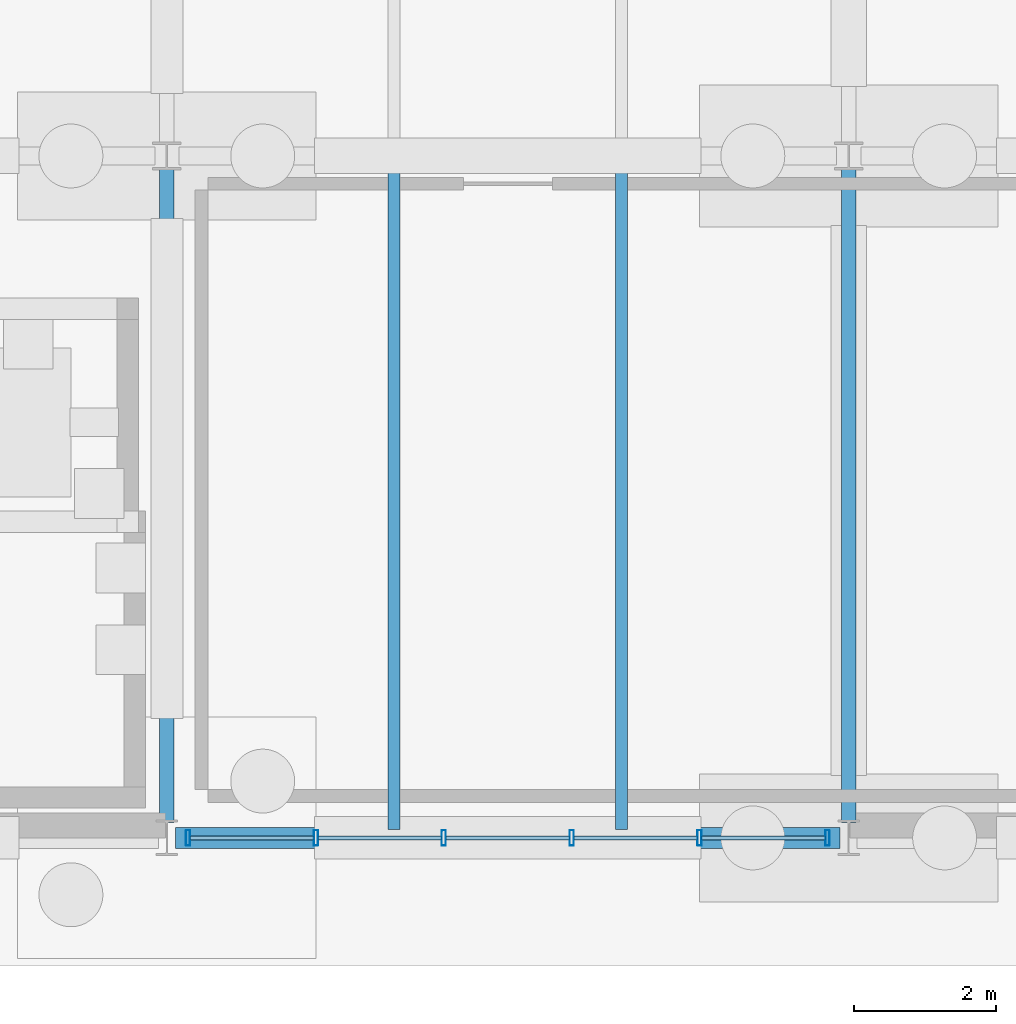
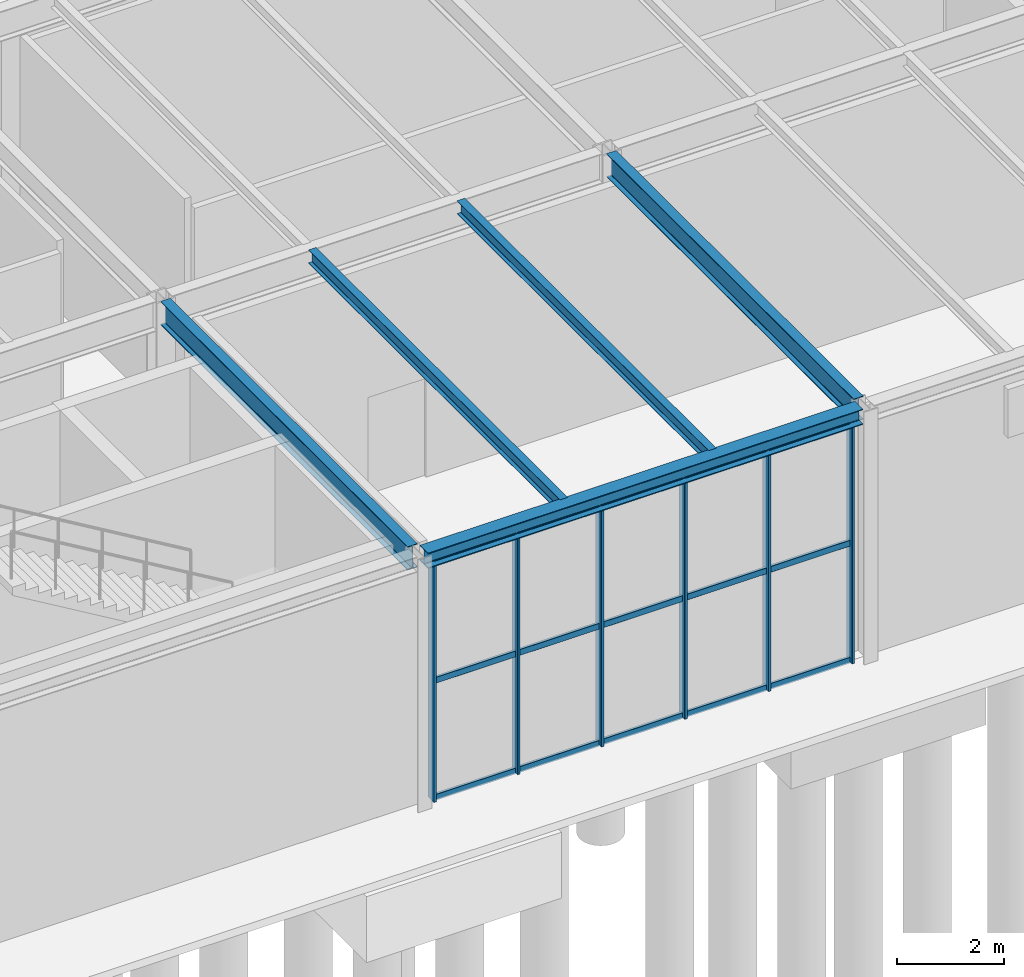
# One storey, part 84 of 142: 21 members, 5 beams, 1 element without a shape of its own.
"""IFC4 building model written with IfcOpenShell, lengths in metres."""

from ifc_helpers import new_model, si_unit, direction, frame, origin, origin_2d, place, context, subcontext, project, spatial, hollow_rectangle, i_section, extrude, material, material_profile, profile_set, type_object, element, aggregate, save


model = new_model("IFC4")

# Units and contexts
model_context = context("Model", 3, precision=1e-05, world=origin(), true_north=direction((0.0, 1.0)))
body_context = subcontext(model_context, "Body", "Model", "MODEL_VIEW")
ifc_project = project(units=[si_unit("LENGTHUNIT", "METRE"), si_unit("AREAUNIT", "SQUARE_METRE"), si_unit("VOLUMEUNIT", "CUBIC_METRE"), si_unit("PLANEANGLEUNIT", "RADIAN"), si_unit("MASSUNIT", "GRAM", prefix="KILO")], contexts=[model_context])

# Site, building, storey
site_placement = place(None, origin())
site = spatial("IfcSite", under=ifc_project, at=site_placement, CompositionType="ELEMENT")
building_placement = place(site_placement, origin())
building = spatial("IfcBuilding", under=site, at=building_placement, Name="Coralgate Yard Interchange", CompositionType="ELEMENT")
storey_placement = place(building_placement, origin())
storey = spatial("IfcBuildingStorey", under=building, at=storey_placement, Name="L00", CompositionType="ELEMENT", Elevation=0.0)

# Beams
ifc_material_1 = material(Name="Structural steel S355J2", Category="steel")
ifc_material_profile_1 = material_profile(ifc_material_1, i_section(OverallWidth=0.209228515625, OverallDepth=0.533203125, WebThickness=0.010009765625, FlangeThickness=0.015625, FilletRadius=0.0126953125, at=origin_2d()), Name="UB 533x210x92")
ifc_profile_set_1 = profile_set([ifc_material_profile_1], Name="Structural steel S355J2")
beam_type_1 = type_object("IfcBeamType", Name="BM-SB-1", PredefinedType="BEAM", material=ifc_profile_set_1)
for number, where, z_axis, x_axis, name in (
    (1, (163.199951171875, 0.219970703125, 5.4833984375), (0.0, 1.0, 0.0), (-1.0, 0.0, 0.0), "L00 primary grid girder X17 Y0-1"),
    (2, (172.800048828125, 0.219970703125, 5.4833984375), (0.0, 1.0, 0.0), (-1.0, 0.0, 0.0), "L00 primary grid girder X18 Y0-1"),
):
    element("IfcBeam", number, at=place(storey_placement, frame(where, z_axis=z_axis, x_axis=x_axis)), inside=storey, type_object=beam_type_1, Name=name, PredefinedType="BEAM", context=body_context, shape_type="SweptSolid", body=[
        extrude(i_section(OverallWidth=0.209228515625, OverallDepth=0.533203125, WebThickness=0.010009765625, FlangeThickness=0.015625, FilletRadius=0.0126953125, at=origin_2d()), origin(), (0.0, 0.0, 1.0), 9.213134765625),
    ])
ifc_material_profile_2 = material_profile(ifc_material_1, i_section(OverallWidth=0.1650390625, OverallDepth=0.303466796875, WebThickness=0.006103515625, FlangeThickness=0.01025390625, FilletRadius=0.0087890625, at=origin_2d()), Name="UB 305x165x40")
ifc_profile_set_2 = profile_set([ifc_material_profile_2], Name="Structural steel S355J2")
beam_type_2 = type_object("IfcBeamType", Name="BM-SJ-1", PredefinedType="JOIST", material=ifc_profile_set_2)
for number, where, z_axis, x_axis, name in (
    (3, (166.39990234375, 0.1201171875, 5.598388671875), (0.0, 1.0, 0.0), (-1.0, 0.0, 0.0), "L00 composite floor joist 17-0-1"),
    (4, (169.60009765625, 0.1201171875, 5.598388671875), (0.0, 1.0, 0.0), (-1.0, 0.0, 0.0), "L00 composite floor joist 17-0-2"),
):
    element("IfcBeam", number, at=place(storey_placement, frame(where, z_axis=z_axis, x_axis=x_axis)), inside=storey, type_object=beam_type_2, Name=name, PredefinedType="JOIST", context=body_context, shape_type="SweptSolid", body=[
        extrude(i_section(OverallWidth=0.1650390625, OverallDepth=0.303466796875, WebThickness=0.006103515625, FlangeThickness=0.01025390625, FilletRadius=0.0087890625, at=origin_2d()), origin(), (0.0, 0.0, 1.0), 9.383056640625),
    ])
ifc_material_profile_3 = material_profile(ifc_material_1, i_section(OverallWidth=0.300048828125, OverallDepth=0.35009765625, WebThickness=0.010009765625, FlangeThickness=0.017578125, FilletRadius=0.027099609375, at=origin_2d()), Name="HEA 360")
ifc_profile_set_3 = profile_set([ifc_material_profile_3], Name="Structural steel S355J2")
beam_type_3 = type_object("IfcBeamType", Name="BM-SP-1", PredefinedType="SPANDREL", material=ifc_profile_set_3)
beam_placement = place(storey_placement, frame((163.320068359375, 0.0, 5.574951171875), z_axis=(1.0, 0.0, 0.0), x_axis=(0.0, 1.0, 0.0)))
element("IfcBeam", 5, at=beam_placement, inside=storey, type_object=beam_type_3, Name="L00 primary grid beam Y0 X17-18", PredefinedType="SPANDREL", context=body_context, shape_type="SweptSolid", body=[
    extrude(i_section(OverallWidth=0.300048828125, OverallDepth=0.35009765625, WebThickness=0.010009765625, FlangeThickness=0.017578125, FilletRadius=0.027099609375, at=origin_2d()), origin(), (0.0, 0.0, 1.0), 9.35986328125),
])

# Curtain wall, members
ifc_material_2 = material(Name="Anodised coastal aluminium and solar-control low-E glass", Category="aluminium")
curtain_wall_type = type_object("IfcCurtainWallType", Name="CW-CW-L00-B", PredefinedType="NOTDEFINED", material=ifc_material_2)
curtain_wall_placement = place(storey_placement, origin())
curtain_wall = element("IfcCurtainWall", 6, at=curtain_wall_placement, inside=storey, type_object=curtain_wall_type, Name="L00 unitised curtain wall CW-L00-S-17-00", PredefinedType="NOTDEFINED")
ifc_material_3 = material(Name="Anodised coastal aluminium 6063-T6", Category="aluminium")
ifc_material_profile_4 = material_profile(ifc_material_3, hollow_rectangle(XDim=0.06005859375, YDim=0.219970703125, WallThickness=0.00390625, InnerFilletRadius=0.00390625, OuterFilletRadius=0.008056640625, at=origin_2d()), Name="ALU 60x220x4")
ifc_profile_set_4 = profile_set([ifc_material_profile_4], Name="Anodised coastal aluminium 6063-T6")
member_type_1 = type_object("IfcMemberType", Name="MB-MUL-220", PredefinedType="MULLION", material=ifc_profile_set_4)
member_1_placement = place(storey_placement, frame((172.5, 0.0, 0.0), z_axis=(0.0, 0.0, 1.0), x_axis=(1.0, 0.0, 0.0)))
member_1 = element("IfcMember", 7, at=member_1_placement, type_object=member_type_1, Name="CW-L00-S-17-00 vertical mullion 1", PredefinedType="MULLION", context=body_context, shape_type="SweptSolid", body=[
    extrude(hollow_rectangle(XDim=0.06005859375, YDim=0.219970703125, WallThickness=0.00390625, InnerFilletRadius=0.00390625, OuterFilletRadius=0.008056640625, at=origin_2d()), origin(), (0.0, 0.0, 1.0), 5.39990234375),
])
member_2_placement = place(storey_placement, frame((170.699951171875, 0.0, 0.0), z_axis=(0.0, 0.0, 1.0), x_axis=(1.0, 0.0, 0.0)))
member_2 = element("IfcMember", 8, at=member_2_placement, type_object=member_type_1, Name="CW-L00-S-17-00 vertical mullion 2", PredefinedType="MULLION", context=body_context, shape_type="SweptSolid", body=[
    extrude(hollow_rectangle(XDim=0.06005859375, YDim=0.219970703125, WallThickness=0.00390625, InnerFilletRadius=0.00390625, OuterFilletRadius=0.008056640625, at=origin_2d()), origin(), (0.0, 0.0, 1.0), 5.39990234375),
])
member_3_placement = place(storey_placement, frame((168.89990234375, 0.0, 0.0), z_axis=(0.0, 0.0, 1.0), x_axis=(1.0, 0.0, 0.0)))
member_3 = element("IfcMember", 9, at=member_3_placement, type_object=member_type_1, Name="CW-L00-S-17-00 vertical mullion 3", PredefinedType="MULLION", context=body_context, shape_type="SweptSolid", body=[
    extrude(hollow_rectangle(XDim=0.06005859375, YDim=0.219970703125, WallThickness=0.00390625, InnerFilletRadius=0.00390625, OuterFilletRadius=0.008056640625, at=origin_2d()), origin(), (0.0, 0.0, 1.0), 5.39990234375),
])
member_4_placement = place(storey_placement, frame((167.10009765625, 0.0, 0.0), z_axis=(0.0, 0.0, 1.0), x_axis=(1.0, 0.0, 0.0)))
member_4 = element("IfcMember", 10, at=member_4_placement, type_object=member_type_1, Name="CW-L00-S-17-00 vertical mullion 4", PredefinedType="MULLION", context=body_context, shape_type="SweptSolid", body=[
    extrude(hollow_rectangle(XDim=0.06005859375, YDim=0.219970703125, WallThickness=0.00390625, InnerFilletRadius=0.00390625, OuterFilletRadius=0.008056640625, at=origin_2d()), origin(), (0.0, 0.0, 1.0), 5.39990234375),
])
member_5_placement = place(storey_placement, frame((165.300048828125, 0.0, 0.0), z_axis=(0.0, 0.0, 1.0), x_axis=(1.0, 0.0, 0.0)))
member_5 = element("IfcMember", 11, at=member_5_placement, type_object=member_type_1, Name="CW-L00-S-17-00 vertical mullion 5", PredefinedType="MULLION", context=body_context, shape_type="SweptSolid", body=[
    extrude(hollow_rectangle(XDim=0.06005859375, YDim=0.219970703125, WallThickness=0.00390625, InnerFilletRadius=0.00390625, OuterFilletRadius=0.008056640625, at=origin_2d()), origin(), (0.0, 0.0, 1.0), 5.39990234375),
])
member_6_placement = place(storey_placement, frame((163.5, 0.0, 0.0), z_axis=(0.0, 0.0, 1.0), x_axis=(1.0, 0.0, 0.0)))
member_6 = element("IfcMember", 12, at=member_6_placement, type_object=member_type_1, Name="CW-L00-S-17-00 vertical mullion 6", PredefinedType="MULLION", context=body_context, shape_type="SweptSolid", body=[
    extrude(hollow_rectangle(XDim=0.06005859375, YDim=0.219970703125, WallThickness=0.00390625, InnerFilletRadius=0.00390625, OuterFilletRadius=0.008056640625, at=origin_2d()), origin(), (0.0, 0.0, 1.0), 5.39990234375),
])
ifc_material_profile_5 = material_profile(ifc_material_3, hollow_rectangle(XDim=0.06005859375, YDim=0.139892578125, WallThickness=0.00341796875, InnerFilletRadius=0.00341796875, OuterFilletRadius=0.007080078125, at=origin_2d()), Name="ALU 60x140x3.5")
ifc_profile_set_5 = profile_set([ifc_material_profile_5], Name="Anodised coastal aluminium 6063-T6")
member_type_2 = type_object("IfcMemberType", Name="MB-TRN-140", PredefinedType="USERDEFINED", material=ifc_profile_set_5)
member_7_placement = place(storey_placement, frame((172.469970703125, 0.0, 0.034912109375), z_axis=(-1.0, 0.0, 0.0), x_axis=(0.0, -1.0, 0.0)))
member_7 = element("IfcMember", 13, at=member_7_placement, type_object=member_type_2, Name="CW-L00-S-17-00 horizontal transom 1-1", ObjectType="TRANSOM", PredefinedType="USERDEFINED", context=body_context, shape_type="SweptSolid", body=[
    extrude(hollow_rectangle(XDim=0.06005859375, YDim=0.139892578125, WallThickness=0.00341796875, InnerFilletRadius=0.00341796875, OuterFilletRadius=0.007080078125, at=origin_2d()), origin(), (0.0, 0.0, 1.0), 1.739990234375),
])
member_8_placement = place(storey_placement, frame((172.469970703125, 0.0, 2.699951171875), z_axis=(-1.0, 0.0, 0.0), x_axis=(0.0, -1.0, 0.0)))
member_8 = element("IfcMember", 14, at=member_8_placement, type_object=member_type_2, Name="CW-L00-S-17-00 horizontal transom 1-2", ObjectType="TRANSOM", PredefinedType="USERDEFINED", context=body_context, shape_type="SweptSolid", body=[
    extrude(hollow_rectangle(XDim=0.06005859375, YDim=0.139892578125, WallThickness=0.00341796875, InnerFilletRadius=0.00341796875, OuterFilletRadius=0.007080078125, at=origin_2d()), origin(), (0.0, 0.0, 1.0), 1.739990234375),
])
member_9_placement = place(storey_placement, frame((172.469970703125, 0.0, 5.364990234375), z_axis=(-1.0, 0.0, 0.0), x_axis=(0.0, -1.0, 0.0)))
member_9 = element("IfcMember", 15, at=member_9_placement, type_object=member_type_2, Name="CW-L00-S-17-00 horizontal transom 1-3", ObjectType="TRANSOM", PredefinedType="USERDEFINED", context=body_context, shape_type="SweptSolid", body=[
    extrude(hollow_rectangle(XDim=0.06005859375, YDim=0.139892578125, WallThickness=0.00341796875, InnerFilletRadius=0.00341796875, OuterFilletRadius=0.007080078125, at=origin_2d()), origin(), (0.0, 0.0, 1.0), 1.739990234375),
])
member_10_placement = place(storey_placement, frame((170.669921875, 0.0, 0.034912109375), z_axis=(-1.0, 0.0, 0.0), x_axis=(0.0, -1.0, 0.0)))
member_10 = element("IfcMember", 16, at=member_10_placement, type_object=member_type_2, Name="CW-L00-S-17-00 horizontal transom 2-1", ObjectType="TRANSOM", PredefinedType="USERDEFINED", context=body_context, shape_type="SweptSolid", body=[
    extrude(hollow_rectangle(XDim=0.06005859375, YDim=0.139892578125, WallThickness=0.00341796875, InnerFilletRadius=0.00341796875, OuterFilletRadius=0.007080078125, at=origin_2d()), origin(), (0.0, 0.0, 1.0), 1.739990234375),
])
member_11_placement = place(storey_placement, frame((170.669921875, 0.0, 2.699951171875), z_axis=(-1.0, 0.0, 0.0), x_axis=(0.0, -1.0, 0.0)))
member_11 = element("IfcMember", 17, at=member_11_placement, type_object=member_type_2, Name="CW-L00-S-17-00 horizontal transom 2-2", ObjectType="TRANSOM", PredefinedType="USERDEFINED", context=body_context, shape_type="SweptSolid", body=[
    extrude(hollow_rectangle(XDim=0.06005859375, YDim=0.139892578125, WallThickness=0.00341796875, InnerFilletRadius=0.00341796875, OuterFilletRadius=0.007080078125, at=origin_2d()), origin(), (0.0, 0.0, 1.0), 1.739990234375),
])
member_12_placement = place(storey_placement, frame((170.669921875, 0.0, 5.364990234375), z_axis=(-1.0, 0.0, 0.0), x_axis=(0.0, -1.0, 0.0)))
member_12 = element("IfcMember", 18, at=member_12_placement, type_object=member_type_2, Name="CW-L00-S-17-00 horizontal transom 2-3", ObjectType="TRANSOM", PredefinedType="USERDEFINED", context=body_context, shape_type="SweptSolid", body=[
    extrude(hollow_rectangle(XDim=0.06005859375, YDim=0.139892578125, WallThickness=0.00341796875, InnerFilletRadius=0.00341796875, OuterFilletRadius=0.007080078125, at=origin_2d()), origin(), (0.0, 0.0, 1.0), 1.739990234375),
])
member_13_placement = place(storey_placement, frame((168.8701171875, 0.0, 0.034912109375), z_axis=(-1.0, 0.0, 0.0), x_axis=(0.0, -1.0, 0.0)))
member_13 = element("IfcMember", 19, at=member_13_placement, type_object=member_type_2, Name="CW-L00-S-17-00 horizontal transom 3-1", ObjectType="TRANSOM", PredefinedType="USERDEFINED", context=body_context, shape_type="SweptSolid", body=[
    extrude(hollow_rectangle(XDim=0.06005859375, YDim=0.139892578125, WallThickness=0.00341796875, InnerFilletRadius=0.00341796875, OuterFilletRadius=0.007080078125, at=origin_2d()), origin(), (0.0, 0.0, 1.0), 1.740234375),
])
member_14_placement = place(storey_placement, frame((168.8701171875, 0.0, 2.699951171875), z_axis=(-1.0, 0.0, 0.0), x_axis=(0.0, -1.0, 0.0)))
member_14 = element("IfcMember", 20, at=member_14_placement, type_object=member_type_2, Name="CW-L00-S-17-00 horizontal transom 3-2", ObjectType="TRANSOM", PredefinedType="USERDEFINED", context=body_context, shape_type="SweptSolid", body=[
    extrude(hollow_rectangle(XDim=0.06005859375, YDim=0.139892578125, WallThickness=0.00341796875, InnerFilletRadius=0.00341796875, OuterFilletRadius=0.007080078125, at=origin_2d()), origin(), (0.0, 0.0, 1.0), 1.740234375),
])
member_15_placement = place(storey_placement, frame((168.8701171875, 0.0, 5.364990234375), z_axis=(-1.0, 0.0, 0.0), x_axis=(0.0, -1.0, 0.0)))
member_15 = element("IfcMember", 21, at=member_15_placement, type_object=member_type_2, Name="CW-L00-S-17-00 horizontal transom 3-3", ObjectType="TRANSOM", PredefinedType="USERDEFINED", context=body_context, shape_type="SweptSolid", body=[
    extrude(hollow_rectangle(XDim=0.06005859375, YDim=0.139892578125, WallThickness=0.00341796875, InnerFilletRadius=0.00341796875, OuterFilletRadius=0.007080078125, at=origin_2d()), origin(), (0.0, 0.0, 1.0), 1.740234375),
])
member_16_placement = place(storey_placement, frame((167.070068359375, 0.0, 0.034912109375), z_axis=(-1.0, 0.0, 0.0), x_axis=(0.0, -1.0, 0.0)))
member_16 = element("IfcMember", 22, at=member_16_placement, type_object=member_type_2, Name="CW-L00-S-17-00 horizontal transom 4-1", ObjectType="TRANSOM", PredefinedType="USERDEFINED", context=body_context, shape_type="SweptSolid", body=[
    extrude(hollow_rectangle(XDim=0.06005859375, YDim=0.139892578125, WallThickness=0.00341796875, InnerFilletRadius=0.00341796875, OuterFilletRadius=0.007080078125, at=origin_2d()), origin(), (0.0, 0.0, 1.0), 1.739990234375),
])
member_17_placement = place(storey_placement, frame((167.070068359375, 0.0, 2.699951171875), z_axis=(-1.0, 0.0, 0.0), x_axis=(0.0, -1.0, 0.0)))
member_17 = element("IfcMember", 23, at=member_17_placement, type_object=member_type_2, Name="CW-L00-S-17-00 horizontal transom 4-2", ObjectType="TRANSOM", PredefinedType="USERDEFINED", context=body_context, shape_type="SweptSolid", body=[
    extrude(hollow_rectangle(XDim=0.06005859375, YDim=0.139892578125, WallThickness=0.00341796875, InnerFilletRadius=0.00341796875, OuterFilletRadius=0.007080078125, at=origin_2d()), origin(), (0.0, 0.0, 1.0), 1.739990234375),
])
member_18_placement = place(storey_placement, frame((167.070068359375, 0.0, 5.364990234375), z_axis=(-1.0, 0.0, 0.0), x_axis=(0.0, -1.0, 0.0)))
member_18 = element("IfcMember", 24, at=member_18_placement, type_object=member_type_2, Name="CW-L00-S-17-00 horizontal transom 4-3", ObjectType="TRANSOM", PredefinedType="USERDEFINED", context=body_context, shape_type="SweptSolid", body=[
    extrude(hollow_rectangle(XDim=0.06005859375, YDim=0.139892578125, WallThickness=0.00341796875, InnerFilletRadius=0.00341796875, OuterFilletRadius=0.007080078125, at=origin_2d()), origin(), (0.0, 0.0, 1.0), 1.739990234375),
])
member_19_placement = place(storey_placement, frame((165.27001953125, 0.0, 0.034912109375), z_axis=(-1.0, 0.0, 0.0), x_axis=(0.0, -1.0, 0.0)))
member_19 = element("IfcMember", 25, at=member_19_placement, type_object=member_type_2, Name="CW-L00-S-17-00 horizontal transom 5-1", ObjectType="TRANSOM", PredefinedType="USERDEFINED", context=body_context, shape_type="SweptSolid", body=[
    extrude(hollow_rectangle(XDim=0.06005859375, YDim=0.139892578125, WallThickness=0.00341796875, InnerFilletRadius=0.00341796875, OuterFilletRadius=0.007080078125, at=origin_2d()), origin(), (0.0, 0.0, 1.0), 1.739990234375),
])
member_20_placement = place(storey_placement, frame((165.27001953125, 0.0, 2.699951171875), z_axis=(-1.0, 0.0, 0.0), x_axis=(0.0, -1.0, 0.0)))
member_20 = element("IfcMember", 26, at=member_20_placement, type_object=member_type_2, Name="CW-L00-S-17-00 horizontal transom 5-2", ObjectType="TRANSOM", PredefinedType="USERDEFINED", context=body_context, shape_type="SweptSolid", body=[
    extrude(hollow_rectangle(XDim=0.06005859375, YDim=0.139892578125, WallThickness=0.00341796875, InnerFilletRadius=0.00341796875, OuterFilletRadius=0.007080078125, at=origin_2d()), origin(), (0.0, 0.0, 1.0), 1.739990234375),
])
member_21_placement = place(storey_placement, frame((165.27001953125, 0.0, 5.364990234375), z_axis=(-1.0, 0.0, 0.0), x_axis=(0.0, -1.0, 0.0)))
member_21 = element("IfcMember", 27, at=member_21_placement, type_object=member_type_2, Name="CW-L00-S-17-00 horizontal transom 5-3", ObjectType="TRANSOM", PredefinedType="USERDEFINED", context=body_context, shape_type="SweptSolid", body=[
    extrude(hollow_rectangle(XDim=0.06005859375, YDim=0.139892578125, WallThickness=0.00341796875, InnerFilletRadius=0.00341796875, OuterFilletRadius=0.007080078125, at=origin_2d()), origin(), (0.0, 0.0, 1.0), 1.739990234375),
])
aggregate(curtain_wall, [member_1, member_2, member_3, member_4, member_5, member_6, member_7, member_8, member_9, member_10, member_11, member_12, member_13, member_14, member_15, member_16, member_17, member_18, member_19, member_20, member_21])

save(model, "model.ifc")
